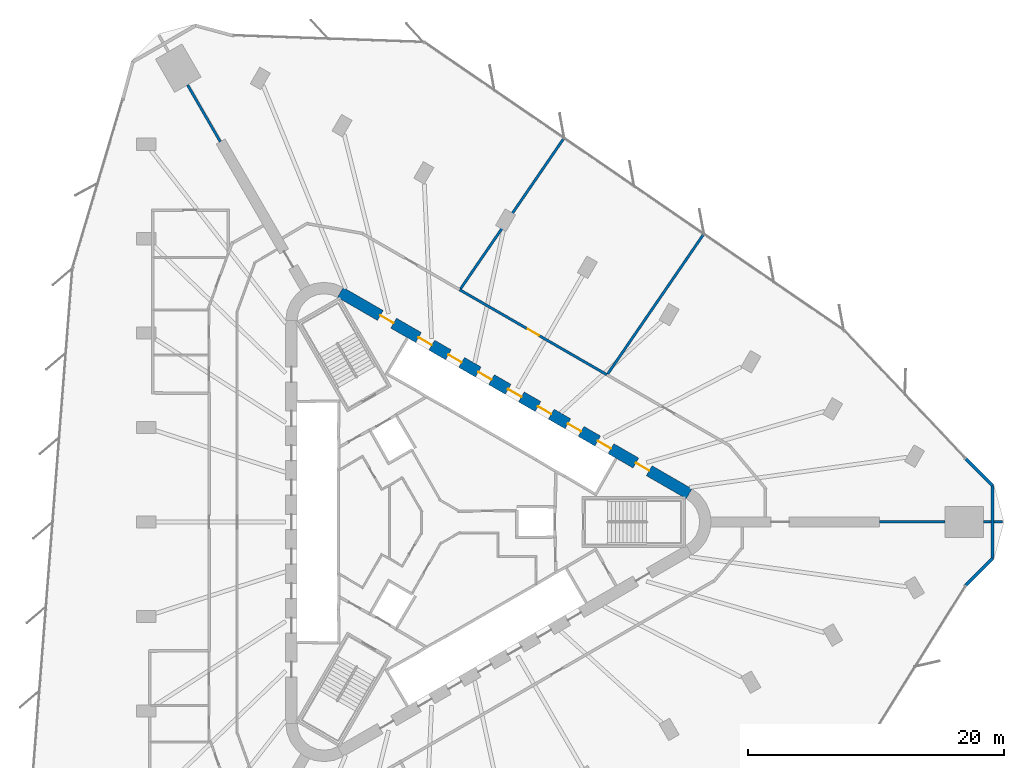
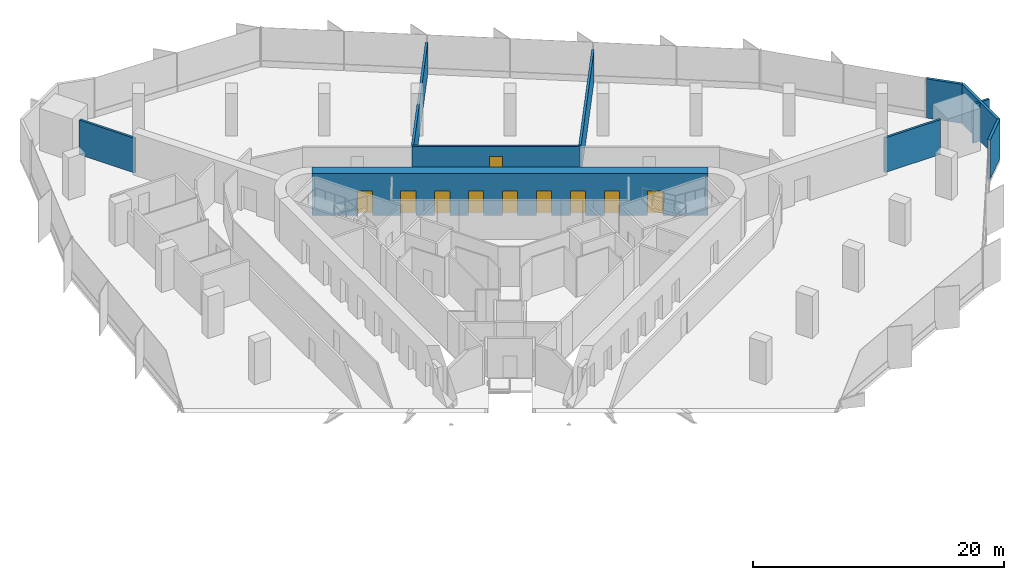
# One storey, part 13 of 15: 11 walls, 10 doors, 10 openings.
"""IFC4 building model written with IfcOpenShell, lengths in metres."""

from ifc_helpers import new_model, si_unit, direction, frame, frame_2d, origin, place, context, subcontext, project, spatial, rectangle, extrude, material, layer, layer_set, type_object, element, fill, save


model = new_model("IFC4")

# Units and contexts
model_context = context("Model", 3, precision=1e-05, world=origin(), true_north=direction((0.0, 1.0)))
body_context = subcontext(model_context, "Body", "Model", "MODEL_VIEW")
ifc_project = project(units=[si_unit("LENGTHUNIT", "METRE"), si_unit("AREAUNIT", "SQUARE_METRE"), si_unit("VOLUMEUNIT", "CUBIC_METRE"), si_unit("PLANEANGLEUNIT", "RADIAN"), si_unit("MASSUNIT", "GRAM", prefix="KILO")], contexts=[model_context])

# Site, building, storey
site_placement = place(None, origin())
site = spatial("IfcSite", under=ifc_project, at=site_placement, CompositionType="ELEMENT")
building_placement = place(site_placement, origin())
building = spatial("IfcBuilding", under=site, at=building_placement, Name="Tanit Gate Tower", CompositionType="ELEMENT")
storey_placement = place(building_placement, frame((0.0, 0.0, 102.89990234375)))
storey = spatial("IfcBuildingStorey", under=building, at=storey_placement, Name="L21", CompositionType="ELEMENT", Elevation=102.89990234375)

# Wall, openings, doors
ifc_material_1 = material(Name="Concrete C60/75", Category="concrete")
ifc_layer_1 = layer(ifc_material_1, 0.89990234375)
ifc_layer_set_1 = layer_set([ifc_layer_1], Name="CORE WALL 900 C60/75")
wall_type_1 = type_object("IfcWallType", Name="CORE WALL 900 C60/75", PredefinedType="SHEAR", material=ifc_layer_set_1)
wall_1_placement = place(storey_placement, frame((19.47509765625, 2.20849609375, 0.0), z_axis=(0.0, 0.0, 1.0), x_axis=(-0.866028369851, 0.499994862586, 0.0)))
wall_1 = element("IfcWall", 1, at=wall_1_placement, inside=storey, type_object=wall_type_1, Name="CORE WALL", PredefinedType="SHEAR", context=body_context, shape_type="SweptSolid", body=[
    extrude(rectangle(XDim=31.523193359375, YDim=0.89990234375, at=frame_2d((15.76171875, 0.0))), origin(), (0.0, 0.0, 1.0), 4.10009765625),
])
opening_1_placement = place(wall_1_placement, frame((7.0615234375, 0.0, 0.0)))
opening_1 = element("IfcOpeningElement", 2, at=opening_1_placement, cuts=wall_1, Name="Opening LDLL8-S04", PredefinedType="OPENING", context=body_context, shape_type="SweptSolid", body=[
    extrude(rectangle(XDim=1.199951171875, YDim=2.39990234375, at=frame_2d((0.60009765625, 1.199951171875))), frame((0.0, 0.4599609375, 0.0), z_axis=(0.0, -1.0, 0.0), x_axis=(1.0, 0.0, 0.0)), (0.0, 0.0, 1.0), 0.919921875),
])
opening_2_placement = place(wall_1_placement, frame((9.76171875, 0.0, 0.0)))
opening_2 = element("IfcOpeningElement", 3, at=opening_2_placement, cuts=wall_1, Name="Opening LDLL9-S04", PredefinedType="OPENING", context=body_context, shape_type="SweptSolid", body=[
    extrude(rectangle(XDim=1.199951171875, YDim=2.39990234375, at=frame_2d((0.60009765625, 1.199951171875))), frame((0.0, 0.4599609375, 0.0), z_axis=(0.0, -1.0, 0.0), x_axis=(1.0, 0.0, 0.0)), (0.0, 0.0, 1.0), 0.919921875),
])
opening_3_placement = place(wall_1_placement, frame((12.461669921875, 0.0, 0.0)))
opening_3 = element("IfcOpeningElement", 4, at=opening_3_placement, cuts=wall_1, Name="Opening LDLL10-S04", PredefinedType="OPENING", context=body_context, shape_type="SweptSolid", body=[
    extrude(rectangle(XDim=1.199951171875, YDim=2.39990234375, at=frame_2d((0.60009765625, 1.199951171875))), frame((0.0, 0.4599609375, 0.0), z_axis=(0.0, -1.0, 0.0), x_axis=(1.0, 0.0, 0.0)), (0.0, 0.0, 1.0), 0.919921875),
])
opening_4_placement = place(wall_1_placement, frame((15.16162109375, 0.0, 0.0)))
opening_4 = element("IfcOpeningElement", 5, at=opening_4_placement, cuts=wall_1, Name="Opening LDSL1-S04", PredefinedType="OPENING", context=body_context, shape_type="SweptSolid", body=[
    extrude(rectangle(XDim=1.199951171875, YDim=2.39990234375, at=frame_2d((0.60009765625, 1.199951171875))), frame((0.0, 0.4599609375, 0.0), z_axis=(0.0, -1.0, 0.0), x_axis=(1.0, 0.0, 0.0)), (0.0, 0.0, 1.0), 0.919921875),
])
opening_5_placement = place(wall_1_placement, frame((17.861572265625, 0.0, 0.0)))
opening_5 = element("IfcOpeningElement", 6, at=opening_5_placement, cuts=wall_1, Name="Opening LDSL2-S04", PredefinedType="OPENING", context=body_context, shape_type="SweptSolid", body=[
    extrude(rectangle(XDim=1.199951171875, YDim=2.39990234375, at=frame_2d((0.60009765625, 1.199951171875))), frame((0.0, 0.4599609375, 0.0), z_axis=(0.0, -1.0, 0.0), x_axis=(1.0, 0.0, 0.0)), (0.0, 0.0, 1.0), 0.919921875),
])
opening_6_placement = place(wall_1_placement, frame((20.5615234375, 0.0, 0.0)))
opening_6 = element("IfcOpeningElement", 7, at=opening_6_placement, cuts=wall_1, Name="Opening LDSL3-S04", PredefinedType="OPENING", context=body_context, shape_type="SweptSolid", body=[
    extrude(rectangle(XDim=1.199951171875, YDim=2.39990234375, at=frame_2d((0.60009765625, 1.199951171875))), frame((0.0, 0.4599609375, 0.0), z_axis=(0.0, -1.0, 0.0), x_axis=(1.0, 0.0, 0.0)), (0.0, 0.0, 1.0), 0.919921875),
])
opening_7_placement = place(wall_1_placement, frame((23.26171875, 0.0, 0.0)))
opening_7 = element("IfcOpeningElement", 8, at=opening_7_placement, cuts=wall_1, Name="Opening LDSL4-S04", PredefinedType="OPENING", context=body_context, shape_type="SweptSolid", body=[
    extrude(rectangle(XDim=1.199951171875, YDim=2.39990234375, at=frame_2d((0.60009765625, 1.199951171875))), frame((0.0, 0.4599609375, 0.0), z_axis=(0.0, -1.0, 0.0), x_axis=(1.0, 0.0, 0.0)), (0.0, 0.0, 1.0), 0.919921875),
])
opening_8_placement = place(wall_1_placement, frame((3.611572265625, 0.0, 0.0)))
opening_8 = element("IfcOpeningElement", 9, at=opening_8_placement, cuts=wall_1, Name="Opening F12-S04-FL1", PredefinedType="OPENING", context=body_context, shape_type="SweptSolid", body=[
    extrude(rectangle(XDim=1.199951171875, YDim=2.39990234375, at=frame_2d((0.60009765625, 1.199951171875))), frame((0.0, 0.4599609375, 0.0), z_axis=(0.0, -1.0, 0.0), x_axis=(1.0, 0.0, 0.0)), (0.0, 0.0, 1.0), 0.919921875),
])
opening_9_placement = place(wall_1_placement, frame((26.711669921875, 0.0, 0.0)))
opening_9 = element("IfcOpeningElement", 10, at=opening_9_placement, cuts=wall_1, Name="Opening F12-S04-S2", PredefinedType="OPENING", context=body_context, shape_type="SweptSolid", body=[
    extrude(rectangle(XDim=1.199951171875, YDim=2.39990234375, at=frame_2d((0.60009765625, 1.199951171875))), frame((0.0, 0.4599609375, 0.0), z_axis=(0.0, -1.0, 0.0), x_axis=(1.0, 0.0, 0.0)), (0.0, 0.0, 1.0), 0.919921875),
])
ifc_material_2 = material(Name="Fire-rated steel door leaf", Category="steel")
door_type_1 = type_object("IfcDoorType", Name="INT-DOOR-FIRE-LOBBY-1200", OperationType="NOTDEFINED", PredefinedType="USERDEFINED", material=ifc_material_2)
door_1_placement = place(opening_8_placement, origin())
door_1 = element("IfcDoor", 11, at=door_1_placement, inside=storey, type_object=door_type_1, Name="Door F12-S04-FL1", ObjectType="FIRE DOOR", OperationType="SINGLE_SWING_LEFT", OverallHeight=2.39990234375, OverallWidth=1.199951171875, PredefinedType="USERDEFINED", context=body_context, shape_type="SweptSolid", body=[
    extrude(rectangle(XDim=1.199951171875, YDim=2.39990234375, at=frame_2d((0.60009765625, 1.199951171875))), frame((0.0, 0.02490234375, 0.0), z_axis=(0.0, -1.0, 0.0), x_axis=(1.0, 0.0, 0.0)), (0.0, 0.0, 1.0), 0.050048828125),
])
fill(opening_8, door_1)
door_2_placement = place(opening_9_placement, origin())
door_2 = element("IfcDoor", 12, at=door_2_placement, inside=storey, type_object=door_type_1, Name="Door F12-S04-S2", ObjectType="FIRE DOOR", OperationType="SINGLE_SWING_LEFT", OverallHeight=2.39990234375, OverallWidth=1.199951171875, PredefinedType="USERDEFINED", context=body_context, shape_type="SweptSolid", body=[
    extrude(rectangle(XDim=1.199951171875, YDim=2.39990234375, at=frame_2d((0.60009765625, 1.199951171875))), frame((0.0, 0.02490234375, 0.0), z_axis=(0.0, -1.0, 0.0), x_axis=(1.0, 0.0, 0.0)), (0.0, 0.0, 1.0), 0.050048828125),
])
fill(opening_9, door_2)
ifc_material_3 = material(Name="Stainless steel sliding door leaf", Category="steel")
door_type_2 = type_object("IfcDoorType", Name="INT-DOOR-LANDING-1200", OperationType="NOTDEFINED", PredefinedType="USERDEFINED", material=ifc_material_3)
door_3_placement = place(opening_1_placement, origin())
door_3 = element("IfcDoor", 13, at=door_3_placement, inside=storey, type_object=door_type_2, Name="Door LDLL8-S04", ObjectType="LANDING DOOR", OperationType="SLIDING_TO_LEFT", OverallHeight=2.39990234375, OverallWidth=1.199951171875, PredefinedType="USERDEFINED", context=body_context, shape_type="SweptSolid", body=[
    extrude(rectangle(XDim=1.199951171875, YDim=2.39990234375, at=frame_2d((0.60009765625, 1.199951171875))), frame((0.0, 0.02490234375, 0.0), z_axis=(0.0, -1.0, 0.0), x_axis=(1.0, 0.0, 0.0)), (0.0, 0.0, 1.0), 0.050048828125),
])
fill(opening_1, door_3)
door_4_placement = place(opening_2_placement, origin())
door_4 = element("IfcDoor", 14, at=door_4_placement, inside=storey, type_object=door_type_2, Name="Door LDLL9-S04", ObjectType="LANDING DOOR", OperationType="SLIDING_TO_LEFT", OverallHeight=2.39990234375, OverallWidth=1.199951171875, PredefinedType="USERDEFINED", context=body_context, shape_type="SweptSolid", body=[
    extrude(rectangle(XDim=1.199951171875, YDim=2.39990234375, at=frame_2d((0.60009765625, 1.199951171875))), frame((0.0, 0.02490234375, 0.0), z_axis=(0.0, -1.0, 0.0), x_axis=(1.0, 0.0, 0.0)), (0.0, 0.0, 1.0), 0.050048828125),
])
fill(opening_2, door_4)
door_5_placement = place(opening_3_placement, origin())
door_5 = element("IfcDoor", 15, at=door_5_placement, inside=storey, type_object=door_type_2, Name="Door LDLL10-S04", ObjectType="LANDING DOOR", OperationType="SLIDING_TO_LEFT", OverallHeight=2.39990234375, OverallWidth=1.199951171875, PredefinedType="USERDEFINED", context=body_context, shape_type="SweptSolid", body=[
    extrude(rectangle(XDim=1.199951171875, YDim=2.39990234375, at=frame_2d((0.60009765625, 1.199951171875))), frame((0.0, 0.02490234375, 0.0), z_axis=(0.0, -1.0, 0.0), x_axis=(1.0, 0.0, 0.0)), (0.0, 0.0, 1.0), 0.050048828125),
])
fill(opening_3, door_5)
door_6_placement = place(opening_4_placement, origin())
door_6 = element("IfcDoor", 16, at=door_6_placement, inside=storey, type_object=door_type_2, Name="Door LDSL1-S04", ObjectType="LANDING DOOR", OperationType="SLIDING_TO_LEFT", OverallHeight=2.39990234375, OverallWidth=1.199951171875, PredefinedType="USERDEFINED", context=body_context, shape_type="SweptSolid", body=[
    extrude(rectangle(XDim=1.199951171875, YDim=2.39990234375, at=frame_2d((0.60009765625, 1.199951171875))), frame((0.0, 0.02490234375, 0.0), z_axis=(0.0, -1.0, 0.0), x_axis=(1.0, 0.0, 0.0)), (0.0, 0.0, 1.0), 0.050048828125),
])
fill(opening_4, door_6)
door_7_placement = place(opening_5_placement, origin())
door_7 = element("IfcDoor", 17, at=door_7_placement, inside=storey, type_object=door_type_2, Name="Door LDSL2-S04", ObjectType="LANDING DOOR", OperationType="SLIDING_TO_LEFT", OverallHeight=2.39990234375, OverallWidth=1.199951171875, PredefinedType="USERDEFINED", context=body_context, shape_type="SweptSolid", body=[
    extrude(rectangle(XDim=1.199951171875, YDim=2.39990234375, at=frame_2d((0.60009765625, 1.199951171875))), frame((0.0, 0.02490234375, 0.0), z_axis=(0.0, -1.0, 0.0), x_axis=(1.0, 0.0, 0.0)), (0.0, 0.0, 1.0), 0.050048828125),
])
fill(opening_5, door_7)
door_8_placement = place(opening_6_placement, origin())
door_8 = element("IfcDoor", 18, at=door_8_placement, inside=storey, type_object=door_type_2, Name="Door LDSL3-S04", ObjectType="LANDING DOOR", OperationType="SLIDING_TO_LEFT", OverallHeight=2.39990234375, OverallWidth=1.199951171875, PredefinedType="USERDEFINED", context=body_context, shape_type="SweptSolid", body=[
    extrude(rectangle(XDim=1.199951171875, YDim=2.39990234375, at=frame_2d((0.60009765625, 1.199951171875))), frame((0.0, 0.02490234375, 0.0), z_axis=(0.0, -1.0, 0.0), x_axis=(1.0, 0.0, 0.0)), (0.0, 0.0, 1.0), 0.050048828125),
])
fill(opening_6, door_8)
door_9_placement = place(opening_7_placement, origin())
door_9 = element("IfcDoor", 19, at=door_9_placement, inside=storey, type_object=door_type_2, Name="Door LDSL4-S04", ObjectType="LANDING DOOR", OperationType="SLIDING_TO_LEFT", OverallHeight=2.39990234375, OverallWidth=1.199951171875, PredefinedType="USERDEFINED", context=body_context, shape_type="SweptSolid", body=[
    extrude(rectangle(XDim=1.199951171875, YDim=2.39990234375, at=frame_2d((0.60009765625, 1.199951171875))), frame((0.0, 0.02490234375, 0.0), z_axis=(0.0, -1.0, 0.0), x_axis=(1.0, 0.0, 0.0)), (0.0, 0.0, 1.0), 0.050048828125),
])
fill(opening_7, door_9)

# Walls
ifc_material_4 = material(Name="Concrete C30/37 with bronze anodised aluminium cladding", Category="concrete")
ifc_layer_2 = layer(ifc_material_4, 0.239990234375)
ifc_layer_set_2 = layer_set([ifc_layer_2], Name="Facade wall bronze clad 240")
wall_type_2 = type_object("IfcWallType", Name="Facade wall bronze clad 240", PredefinedType="SOLIDWALL", material=ifc_layer_set_2)
wall_2_placement = place(storey_placement, frame((41.11865234375, -4.9609375, 0.0), z_axis=(0.0, 0.0, 1.0), x_axis=(0.707106781187, 0.707106781187, 0.0)))
element("IfcWall", 20, at=wall_2_placement, inside=storey, type_object=wall_type_2, Name="Bronze-clad facade wall L21 E.arc1", PredefinedType="SOLIDWALL", context=body_context, shape_type="SweptSolid", body=[
    extrude(rectangle(XDim=2.99169921875, YDim=0.239990234375, at=frame_2d((1.495849609375, 0.0))), origin(), (0.0, 0.0, 1.0), 3.800048828125),
])
wall_3_placement = place(storey_placement, frame((43.234130859375, -2.845458984375, 0.0), z_axis=(0.0, 0.0, 1.0), x_axis=(0.0, 1.0, 0.0)))
element("IfcWall", 21, at=wall_3_placement, inside=storey, type_object=wall_type_2, Name="Bronze-clad facade wall L21 E.arc2", PredefinedType="SOLIDWALL", context=body_context, shape_type="SweptSolid", body=[
    extrude(rectangle(XDim=5.69091796875, YDim=0.239990234375, at=frame_2d((2.845458984375, 0.0))), origin(), (0.0, 0.0, 1.0), 3.800048828125),
])
wall_4_placement = place(storey_placement, frame((43.234130859375, 2.845458984375, 0.0), z_axis=(0.0, 0.0, 1.0), x_axis=(-0.707106781187, 0.707106781187, 0.0)))
element("IfcWall", 22, at=wall_4_placement, inside=storey, type_object=wall_type_2, Name="Bronze-clad facade wall L21 E.arc3", PredefinedType="SOLIDWALL", context=body_context, shape_type="SweptSolid", body=[
    extrude(rectangle(XDim=2.979736328125, YDim=0.239990234375, at=frame_2d((1.48974609375, 0.0))), origin(), (0.0, 0.0, 1.0), 3.800048828125),
])

# Wall, opening, door
ifc_material_5 = material(Name="Fire-rated gypsum board partition")
ifc_layer_3 = layer(ifc_material_5, 0.199951171875)
ifc_layer_set_3 = layer_set([ifc_layer_3], Name="INT-WALL-COMPARTMENT")
wall_type_3 = type_object("IfcWallType", Name="INT-WALL-COMPARTMENT", PredefinedType="PARTITIONING", material=ifc_layer_set_3)
wall_5_placement = place(storey_placement, frame((13.03076171875, 11.529296875, 0.0), z_axis=(0.0, 0.0, 1.0), x_axis=(-0.866023969537, 0.500002484181, 0.0)))
wall_5 = element("IfcWall", 23, at=wall_5_placement, inside=storey, type_object=wall_type_3, Name="Wall Compartment W106", PredefinedType="PARTITIONING", context=body_context, shape_type="SweptSolid", body=[
    extrude(rectangle(XDim=13.3076171875, YDim=0.199951171875, at=frame_2d((6.65380859375, 0.0))), origin(), (0.0, 0.0, 1.0), 3.080078125),
])
opening_10_placement = place(wall_5_placement, frame((6.141845703125, 0.0, 0.0)))
opening_10 = element("IfcOpeningElement", 24, at=opening_10_placement, cuts=wall_5, Name="Opening F10-S04-27", PredefinedType="OPENING", context=body_context, shape_type="SweptSolid", body=[
    extrude(rectangle(XDim=1.0, YDim=2.10009765625, at=frame_2d((0.5, 1.050048828125))), frame((0.0, 0.10986328125, 0.0), z_axis=(0.0, -1.0, 0.0), x_axis=(1.0, 0.0, 0.0)), (0.0, 0.0, 1.0), 0.219970703125),
])
ifc_material_6 = material(Name="Fire-rated steel door leaf", Category="steel")
door_type_3 = type_object("IfcDoorType", Name="INT-DOOR-FIRE-1000", OperationType="NOTDEFINED", PredefinedType="USERDEFINED", material=ifc_material_6)
door_10_placement = place(opening_10_placement, origin())
door_10 = element("IfcDoor", 25, at=door_10_placement, inside=storey, type_object=door_type_3, Name="Door F10-S04-27", ObjectType="FIRE DOOR", OperationType="SINGLE_SWING_RIGHT", OverallHeight=2.10009765625, OverallWidth=1.0, PredefinedType="USERDEFINED", context=body_context, shape_type="SweptSolid", body=[
    extrude(rectangle(XDim=1.0, YDim=2.10009765625, at=frame_2d((0.5, 1.050048828125))), frame((0.0, 0.02490234375, 0.0), z_axis=(0.0, -1.0, 0.0), x_axis=(1.0, 0.0, 0.0)), (0.0, 0.0, 1.0), 0.050048828125),
])
fill(opening_10, door_10)

# Walls
wall_6_placement = place(storey_placement, frame((-17.221435546875, 29.768310546875, 0.0), z_axis=(0.0, 0.0, 1.0), x_axis=(-0.499998470576, 0.866026286796, 0.0)))
element("IfcWall", 26, at=wall_6_placement, inside=storey, type_object=wall_type_3, Name="Wall Compartment W117", PredefinedType="PARTITIONING", context=body_context, shape_type="SweptSolid", body=[
    extrude(rectangle(XDim=5.1298828125, YDim=0.199951171875, at=frame_2d((2.56494140625, 0.0))), origin(), (0.0, 0.0, 1.0), 3.3701171875),
])
wall_7_placement = place(storey_placement, frame((1.583740234375, 18.253662109375, 0.0), z_axis=(0.0, 0.0, 1.0), x_axis=(0.565874790915, 0.824491189163, 0.0)))
element("IfcWall", 27, at=wall_7_placement, inside=storey, type_object=wall_type_3, Name="Wall Compartment W136", PredefinedType="PARTITIONING", context=body_context, shape_type="SweptSolid", body=[
    extrude(rectangle(XDim=14.3095703125, YDim=0.199951171875, at=frame_2d((7.15478515625, 0.0))), origin(), (0.0, 0.0, 1.0), 3.080078125),
])
wall_8_placement = place(storey_placement, frame((20.619873046875, 22.543701171875, 0.0), z_axis=(0.0, 0.0, 1.0), x_axis=(-0.565893246877, -0.824478521939, 0.0)))
element("IfcWall", 28, at=wall_8_placement, inside=storey, type_object=wall_type_3, Name="Wall Compartment W137", PredefinedType="PARTITIONING", context=body_context, shape_type="SweptSolid", body=[
    extrude(rectangle(XDim=13.273681640625, YDim=0.199951171875, at=frame_2d((6.63671875, 0.0))), origin(), (0.0, 0.0, 1.0), 3.080078125),
])
wall_9_placement = place(storey_placement, frame((43.988525390625, 0.030029296875, 0.0), z_axis=(0.0, 0.0, 1.0), x_axis=(-1.0, 0.0, 0.0)))
element("IfcWall", 29, at=wall_9_placement, inside=storey, type_object=wall_type_3, Name="Wall Compartment W139", PredefinedType="PARTITIONING", context=body_context, shape_type="SweptSolid", body=[
    extrude(rectangle(XDim=0.634521484375, YDim=0.199951171875, at=frame_2d((0.3173828125, 0.0))), origin(), (0.0, 0.0, 1.0), 3.800048828125),
])
wall_10_placement = place(storey_placement, frame((43.114013671875, 0.030029296875, 0.0), z_axis=(0.0, 0.0, 1.0), x_axis=(-1.0, 0.0, 0.0)))
element("IfcWall", 30, at=wall_10_placement, inside=storey, type_object=wall_type_3, Name="Wall Compartment W139x1", PredefinedType="PARTITIONING", context=body_context, shape_type="SweptSolid", body=[
    extrude(rectangle(XDim=0.59326171875, YDim=0.199951171875, at=frame_2d((0.296630859375, 0.0))), origin(), (0.0, 0.0, 1.0), 3.800048828125),
])
wall_11_placement = place(storey_placement, frame((39.520751953125, 0.030029296875, 0.0), z_axis=(0.0, 0.0, 1.0), x_axis=(-1.0, 0.0, 0.0)))
element("IfcWall", 31, at=wall_11_placement, inside=storey, type_object=wall_type_3, Name="Wall Compartment W138", PredefinedType="PARTITIONING", context=body_context, shape_type="SweptSolid", body=[
    extrude(rectangle(XDim=5.1298828125, YDim=0.199951171875, at=frame_2d((2.56494140625, 0.0))), origin(), (0.0, 0.0, 1.0), 3.3701171875),
])

save(model, "model.ifc")
